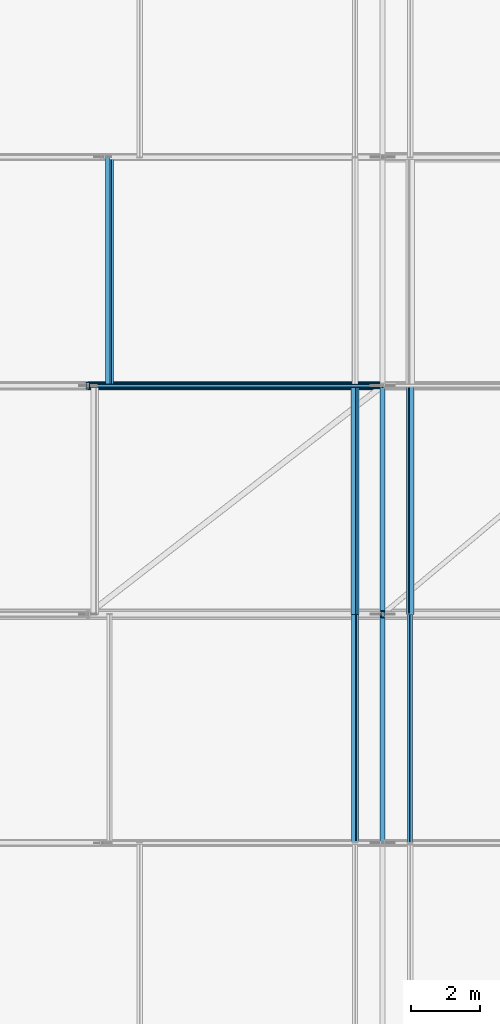
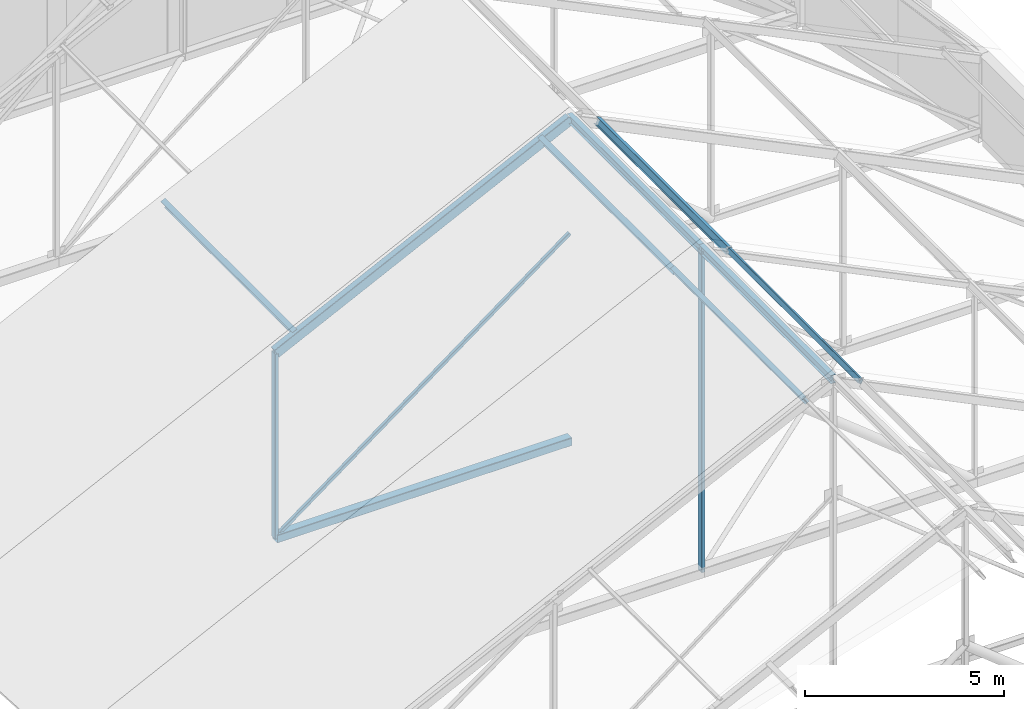
# One storey, part 17 of 78: 12 members.
"""IFC4 building model written with IfcOpenShell, lengths in metres."""

import ifcopenshell
import ifcopenshell.guid

model = None  # the IFC model being written
_history = None  # IfcOwnerHistory: only IFC2X3 demands one
_inside = {}  # id of a spatial element -> (the spatial element, [elements in it])
_under = {}  # id of a project, library or spatial element -> (it, [spatial elements below it])
_declared = {}  # id of a project -> (the project, [libraries it declares])
_typed = {}  # id of a type object -> (the type object, [elements of that type])
_made_of = {}  # id of a material, layer set ... -> (it, [elements and type objects made of it])


def new_model(schema):
    """Start an empty IFC model of exactly this schema.

    Asked for "IFC4X3", IfcOpenShell would pick the latest addendum, in which some entities
    have other attributes; the version numbers below select the first issue.
    IFC2X3 requires an IfcOwnerHistory on every rooted entity: one is made here for all.
    """
    global model, _history
    if schema == "IFC4X3":
        model = ifcopenshell.file(schema_version=(4, 3, 0, 0))
    else:
        model = ifcopenshell.file(schema=schema)
    _inside.clear()
    _under.clear()
    _declared.clear()
    _typed.clear()
    _made_of.clear()
    _history = None
    if model.schema == "IFC2X3":
        org = make("IfcOrganization", Name="unknown")
        user = make(
            "IfcPersonAndOrganization",
            ThePerson=make("IfcPerson", FamilyName="unknown"),
            TheOrganization=org,
        )
        app = make(
            "IfcApplication",
            ApplicationDeveloper=org,
            Version="unknown",
            ApplicationFullName="unknown",
            ApplicationIdentifier="unknown",
        )
        _history = make(
            "IfcOwnerHistory",
            OwningUser=user,
            OwningApplication=app,
            ChangeAction="ADDED",
            CreationDate=0,
        )
    return model


def make(cls, **values):
    """One entity of the class cls with the attributes given. An attribute that is None is left unset."""
    return model.create_entity(
        cls, **{name: value for name, value in values.items() if value is not None}
    )


def rooted(cls, **values):
    """An entity with a GlobalId (a new one), such as an element, a storey or a relation."""
    return make(cls, GlobalId=ifcopenshell.guid.new(), OwnerHistory=_history, **values)


def si_unit(unit_type, name, prefix=None):
    """IfcSIUnit, for example si_unit("LENGTHUNIT", "METRE", prefix="MILLI")."""
    return make("IfcSIUnit", UnitType=unit_type, Prefix=prefix, Name=name)


def assignment(units):
    """IfcUnitAssignment: the units of a project."""
    return None if units is None else make("IfcUnitAssignment", Units=units)


def point(xyz):
    """IfcCartesianPoint."""
    return None if xyz is None else make("IfcCartesianPoint", Coordinates=xyz)


def direction(xyz):
    """IfcDirection."""
    return None if xyz is None else make("IfcDirection", DirectionRatios=xyz)


def frame(location, z_axis=None, x_axis=None):
    """IfcAxis2Placement3D, a coordinate frame: its origin and axes. An axis left out is left unset."""
    return make(
        "IfcAxis2Placement3D",
        Location=point(location),
        Axis=direction(z_axis),
        RefDirection=direction(x_axis),
    )


def frame_2d(location, x_axis=None):
    """IfcAxis2Placement2D, a coordinate frame in the plane: its origin and x axis."""
    return make(
        "IfcAxis2Placement2D", Location=point(location), RefDirection=direction(x_axis)
    )


def origin():
    """The frame at (0, 0, 0) with its axes left unset."""
    return frame((0.0, 0.0, 0.0))


def origin_2d():
    """The frame at (0, 0) in the plane with its x axis left unset."""
    return frame_2d((0.0, 0.0))


def place(relative_to, where):
    """IfcLocalPlacement: puts the frame where relative to a parent placement (None: the world)."""
    return make(
        "IfcLocalPlacement", PlacementRelTo=relative_to, RelativePlacement=where
    )


def context(
    kind, dimensions, precision=None, world=None, true_north=None, identifier=None
):
    """IfcGeometricRepresentationContext, for example the 3D "Model" context."""
    return make(
        "IfcGeometricRepresentationContext",
        ContextIdentifier=identifier,
        ContextType=kind,
        CoordinateSpaceDimension=dimensions,
        Precision=precision,
        WorldCoordinateSystem=world,
        TrueNorth=true_north,
    )


def subcontext(parent, identifier, kind, view, scale=None):
    """IfcGeometricRepresentationSubContext, for example "Body" below "Model"."""
    return make(
        "IfcGeometricRepresentationSubContext",
        ContextIdentifier=identifier,
        ContextType=kind,
        ParentContext=parent,
        TargetScale=scale,
        TargetView=view,
    )


def project(units=None, contexts=None):
    """IfcProject with its units and contexts."""
    return rooted(
        "IfcProject",
        Name="project",
        RepresentationContexts=contexts,
        UnitsInContext=assignment(units),
    )


def spatial(cls, under=None, at=None, **own):
    """A site, building, storey or space (cls), placed at a placement, below another one or the project."""
    s = rooted(cls, ObjectPlacement=at, **own)
    if under is not None:
        _under.setdefault(under.id(), (under, []))[1].append(s)
    return s


def profile(cls, at=None, kind="AREA", **sizes):
    """A parametric profile (cls). Its sizes go by their IFC names, for example OverallWidth=200.0."""
    return make(cls, ProfileType=kind, Position=at, **sizes)


def hollow_rectangle(**sizes):
    """IfcRectangleHollowProfileDef."""
    return profile("IfcRectangleHollowProfileDef", **sizes)


def i_section(**sizes):
    """IfcIShapeProfileDef."""
    return profile("IfcIShapeProfileDef", **sizes)


def extrude(swept, where, along, depth):
    """IfcExtrudedAreaSolid: the profile swept, set in the frame where, extruded along a direction by depth."""
    return make(
        "IfcExtrudedAreaSolid",
        SweptArea=swept,
        Position=where,
        ExtrudedDirection=direction(along),
        Depth=depth,
    )


def shape(context_of_items, identifier, shape_type, items):
    """IfcShapeRepresentation: the items that make up one representation, for example the "Body"."""
    return make(
        "IfcShapeRepresentation",
        ContextOfItems=context_of_items,
        RepresentationIdentifier=identifier,
        RepresentationType=shape_type,
        Items=items,
    )


def material(Name=None, Category=None):
    """IfcMaterial."""
    return make("IfcMaterial", Name=Name, Category=Category)


def material_profile(
    of_material, cross_section, Name=None, Category=None, Priority=None
):
    """IfcMaterialProfile: a cross section and its material."""
    return make(
        "IfcMaterialProfile",
        Name=Name,
        Material=of_material,
        Profile=cross_section,
        Priority=Priority,
        Category=Category,
    )


def profile_set(profiles, Name=None, composite=None):
    """IfcMaterialProfileSet."""
    return make(
        "IfcMaterialProfileSet",
        Name=Name,
        MaterialProfiles=profiles,
        CompositeProfile=composite,
    )


def made_of(thing, what):
    """Note that an element or type object is made of a material, layer set ...; save() writes the relation."""
    if what is not None:
        _made_of.setdefault(what.id(), (what, []))[1].append(thing)
    return thing


def type_object(cls, material=None, **own):
    """A type object (cls), such as IfcWallType, which elements share."""
    return made_of(rooted(cls, **own), material)


def element(
    cls,
    number,
    at=None,
    inside=None,
    cuts=None,
    type_object=None,
    material=None,
    context=None,
    identifier="Body",
    shape_type=None,
    held_by="IfcProductDefinitionShape",
    body=None,
    shapes=None,
    **own,
):
    """One element of the class cls, such as IfcWall. Its Tag is "e" and its number.

    at: its placement. inside: the storey or other place that contains it. cuts: it is an
    opening in that element (IfcRelVoidsElement). A single representation is given by context,
    identifier, shape_type and body (its items); several are given by shapes. held_by: the class
    of the entity that holds the representations. save() writes the other relations.
    """
    e = rooted(cls, Tag="e%d" % number, ObjectPlacement=at, **own)
    if body is not None:
        shapes = [shape(context, identifier, shape_type, body)]
    if shapes is not None:
        e.Representation = make(held_by, Representations=shapes)
    if inside is not None:
        _inside.setdefault(inside.id(), (inside, []))[1].append(e)
    if cuts is not None:
        rooted(
            "IfcRelVoidsElement", RelatingBuildingElement=cuts, RelatedOpeningElement=e
        )
    if type_object is not None:
        _typed.setdefault(type_object.id(), (type_object, []))[1].append(e)
    return made_of(e, material)


def aggregate(whole, parts):
    """IfcRelAggregates: a whole, such as a stair, and the parts it consists of."""
    return rooted("IfcRelAggregates", RelatingObject=whole, RelatedObjects=parts)


def save(model, path):
    """Write the relations noted so far, then the file.

    IfcRelAggregates (storeys below a building ...), IfcRelContainedInSpatialStructure (elements
    in a storey), IfcRelDefinesByType, IfcRelAssociatesMaterial and IfcRelDeclares: one each for
    every whole, place, type object, material and project.
    """
    for whole, parts in _under.values():
        aggregate(whole, parts)
    for where, things in _inside.values():
        rooted(
            "IfcRelContainedInSpatialStructure",
            RelatedElements=things,
            RelatingStructure=where,
        )
    for kind, things in _typed.values():
        rooted("IfcRelDefinesByType", RelatedObjects=things, RelatingType=kind)
    for what, things in _made_of.values():
        rooted("IfcRelAssociatesMaterial", RelatedObjects=things, RelatingMaterial=what)
    for by, libraries in _declared.values():
        rooted("IfcRelDeclares", RelatingContext=by, RelatedDefinitions=libraries)
    model.write(path)


model = new_model("IFC4")

# Units and contexts
model_context = context("Model", 3, precision=1e-05, world=origin(), true_north=direction((0.0, 1.0)))
body_context = subcontext(model_context, "Body", "Model", "MODEL_VIEW")
ifc_project = project(units=[si_unit("LENGTHUNIT", "METRE"), si_unit("AREAUNIT", "SQUARE_METRE"), si_unit("VOLUMEUNIT", "CUBIC_METRE"), si_unit("PLANEANGLEUNIT", "RADIAN"), si_unit("MASSUNIT", "GRAM", prefix="KILO")], contexts=[model_context])

# Site, building, storey
site_placement = place(None, origin())
site = spatial("IfcSite", under=ifc_project, at=site_placement, CompositionType="ELEMENT")
building_placement = place(site_placement, origin())
building = spatial("IfcBuilding", under=site, at=building_placement, Name="Kelanivale Promenade Academy", CompositionType="ELEMENT")
storey_placement = place(building_placement, frame((0.0, 0.0, 16.199951171875)))
storey = spatial("IfcBuildingStorey", under=building, at=storey_placement, Name="L04", CompositionType="ELEMENT", Elevation=16.199951171875)

# Members
ifc_material = material(Name="Steel S355", Category="steel")
ifc_material_profile_1 = material_profile(ifc_material, i_section(OverallWidth=0.13330078125, OverallDepth=0.203125, WebThickness=0.005615234375, FlangeThickness=0.0078125, FilletRadius=0.007568359375, at=origin_2d()), Name="UB 203x133x25")
ifc_profile_set_1 = profile_set([ifc_material_profile_1], Name="Steel S355")
member_type_1 = type_object("IfcMemberType", Name="PR-01 UB 203x133x25", PredefinedType="PURLIN", material=ifc_profile_set_1)
member_1_placement = place(storey_placement, frame((18.800048828125, 46.257080078125, 9.713134765625), z_axis=(0.0, 1.0, 0.0), x_axis=(-0.898564392509, 0.0, -0.438841694139)))
element("IfcMember", 1, at=member_1_placement, inside=storey, type_object=member_type_1, Name="Sports Hall Crescent Pavilion roof purlin PR-01", PredefinedType="PURLIN", context=body_context, shape_type="SweptSolid", body=[
    extrude(i_section(OverallWidth=0.13330078125, OverallDepth=0.203125, WebThickness=0.005615234375, FlangeThickness=0.0078125, FilletRadius=0.007568359375, at=origin_2d()), origin(), (0.0, 0.0, 1.0), 6.62890625),
])
member_2_placement = place(storey_placement, frame((20.39990234375, 52.885986328125, 9.713134765625), z_axis=(0.0, 1.0, 0.0), x_axis=(-0.898564392509, 0.0, 0.438841694139)))
element("IfcMember", 2, at=member_2_placement, inside=storey, type_object=member_type_1, Name="Sports Hall Crescent Pavilion roof purlin PR-01", PredefinedType="PURLIN", context=body_context, shape_type="SweptSolid", body=[
    extrude(i_section(OverallWidth=0.13330078125, OverallDepth=0.203125, WebThickness=0.005615234375, FlangeThickness=0.0078125, FilletRadius=0.007568359375, at=origin_2d()), origin(), (0.0, 0.0, 1.0), 6.6279296875),
])
ifc_material_profile_2 = material_profile(ifc_material, i_section(OverallWidth=0.14599609375, OverallDepth=0.25146484375, WebThickness=0.006103515625, FlangeThickness=0.008544921875, FilletRadius=0.007568359375, at=origin_2d()), Name="UB 254x146x31")
ifc_profile_set_2 = profile_set([ifc_material_profile_2], Name="Steel S355")
member_type_2 = type_object("IfcMemberType", Name="PR-02 UB 254x146x31", PredefinedType="PURLIN", material=ifc_profile_set_2)
member_3_placement = place(storey_placement, frame((19.60009765625, 46.257080078125, 10.087158203125), z_axis=(0.0, 1.0, 0.0), x_axis=(-1.0, 0.0, 0.0)))
element("IfcMember", 3, at=member_3_placement, inside=storey, type_object=member_type_2, Name="Sports Hall Crescent Pavilion roof tie purlin PR-02", PredefinedType="PURLIN", context=body_context, shape_type="SweptSolid", body=[
    extrude(i_section(OverallWidth=0.14599609375, OverallDepth=0.25146484375, WebThickness=0.006103515625, FlangeThickness=0.008544921875, FilletRadius=0.007568359375, at=origin_2d()), origin(), (0.0, 0.0, 1.0), 6.62890625),
])
for number, where, z_axis, x_axis, name in (
    (4, (19.60009765625, 52.885986328125, 10.087158203125), (0.0, 1.0, 0.0), (-1.0, 0.0, 0.0), "Sports Hall Crescent Pavilion roof tie purlin PR-02"),
    (5, (18.800048828125, 52.885986328125, 9.68603515625), (0.0, 1.0, 0.0), (-0.898564392509, 0.0, -0.438841694139), "Sports Hall Crescent Pavilion roof purlin PR-02"),
):
    element("IfcMember", number, at=place(storey_placement, frame(where, z_axis=z_axis, x_axis=x_axis)), inside=storey, type_object=member_type_2, Name=name, PredefinedType="PURLIN", context=body_context, shape_type="SweptSolid", body=[
        extrude(i_section(OverallWidth=0.14599609375, OverallDepth=0.25146484375, WebThickness=0.006103515625, FlangeThickness=0.008544921875, FilletRadius=0.007568359375, at=origin_2d()), origin(), (0.0, 0.0, 1.0), 6.6279296875),
    ])
member_4_placement = place(storey_placement, frame((11.679931640625, 59.513916015625, 6.208984375), z_axis=(0.0, 1.0, 0.0), x_axis=(-0.898564392509, 0.0, -0.438841694139)))
element("IfcMember", 6, at=member_4_placement, inside=storey, type_object=member_type_2, Name="Sports Hall Crescent Pavilion roof purlin PR-02", PredefinedType="PURLIN", context=body_context, shape_type="SweptSolid", body=[
    extrude(i_section(OverallWidth=0.14599609375, OverallDepth=0.25146484375, WebThickness=0.006103515625, FlangeThickness=0.008544921875, FilletRadius=0.007568359375, at=origin_2d()), origin(), (0.0, 0.0, 1.0), 6.629150390625),
])
ifc_material_profile_3 = material_profile(ifc_material, hollow_rectangle(XDim=0.10009765625, YDim=0.14990234375, WallThickness=0.008056640625, InnerFilletRadius=0.008056640625, OuterFilletRadius=0.01611328125, at=origin_2d()), Name="RHS 150x100x8.0")
ifc_profile_set_3 = profile_set([ifc_material_profile_3], Name="Steel S355")
member_type_3 = type_object("IfcMemberType", Name="PR-04 RHS 150x100x8.0", PredefinedType="PURLIN", material=ifc_profile_set_3)
member_5_placement = place(storey_placement, frame((20.39990234375, 46.257080078125, 9.7431640625), z_axis=(0.0, 1.0, 0.0), x_axis=(-0.898564392509, 0.0, 0.438841694139)))
element("IfcMember", 7, at=member_5_placement, inside=storey, type_object=member_type_3, Name="Sports Hall Crescent Pavilion roof purlin PR-04", PredefinedType="PURLIN", context=body_context, shape_type="SweptSolid", body=[
    extrude(hollow_rectangle(XDim=0.10009765625, YDim=0.14990234375, WallThickness=0.008056640625, InnerFilletRadius=0.008056640625, OuterFilletRadius=0.01611328125, at=origin_2d()), origin(), (0.0, 0.0, 1.0), 6.62890625),
])
ifc_material_profile_4 = material_profile(ifc_material, hollow_rectangle(XDim=0.25, YDim=0.25, WallThickness=0.012451171875, InnerFilletRadius=0.012451171875, OuterFilletRadius=0.02490234375, at=origin_2d()), Name="SHS 250x250x12.5")
ifc_profile_set_4 = profile_set([ifc_material_profile_4], Name="Steel S355")
member_type_4 = type_object("IfcMemberType", Name="TC-02 SHS 250x250x12.5", PredefinedType="CHORD", material=ifc_profile_set_4)
member_6_placement = place(storey_placement, frame((11.052978515625, 59.513916015625, 0.199951171875), z_axis=(1.0, 0.0, 0.0), x_axis=(0.0, 1.0, 0.0)))
element("IfcMember", 8, at=member_6_placement, inside=storey, type_object=member_type_4, Name="ROOF TRUSS SH-TR5 bottom chord 2", PredefinedType="CHORD", context=body_context, shape_type="SweptSolid", body=[
    extrude(hollow_rectangle(XDim=0.25, YDim=0.25, WallThickness=0.012451171875, InnerFilletRadius=0.012451171875, OuterFilletRadius=0.02490234375, at=origin_2d()), origin(), (0.0, 0.0, 1.0), 8.547119140625),
])
ifc_material_profile_5 = material_profile(ifc_material, hollow_rectangle(XDim=0.199951171875, YDim=0.300048828125, WallThickness=0.012451171875, InnerFilletRadius=0.012451171875, OuterFilletRadius=0.02490234375, at=origin_2d()), Name="RHS 300x200x12.5")
ifc_profile_set_5 = profile_set([ifc_material_profile_5], Name="Steel S355")
member_type_5 = type_object("IfcMemberType", Name="TC-05 RHS 300x200x12.5", PredefinedType="CHORD", material=ifc_profile_set_5)
member_7_placement = place(storey_placement, frame((11.052978515625, 59.513916015625, 5.8681640625), z_axis=(0.898581873428, 0.0, 0.438805898715), x_axis=(0.0, 1.0, 0.0)))
element("IfcMember", 9, at=member_7_placement, inside=storey, type_object=member_type_5, Name="ROOF TRUSS SH-TR5 top chord 2", PredefinedType="CHORD", context=body_context, shape_type="SweptSolid", body=[
    extrude(hollow_rectangle(XDim=0.199951171875, YDim=0.300048828125, WallThickness=0.012451171875, InnerFilletRadius=0.012451171875, OuterFilletRadius=0.02490234375, at=origin_2d()), origin(), (0.0, 0.0, 1.0), 9.51171875),
])
ifc_material_profile_6 = material_profile(ifc_material, hollow_rectangle(XDim=0.10009765625, YDim=0.10009765625, WallThickness=0.00634765625, InnerFilletRadius=0.00634765625, OuterFilletRadius=0.0126953125, at=origin_2d()), Name="SHS 100x100x6.3")
ifc_profile_set_6 = profile_set([ifc_material_profile_6], Name="Steel S355")
member_type_6 = type_object("IfcMemberType", Name="TD-03 SHS 100x100x6.3", PredefinedType="BRACE", material=ifc_profile_set_6)
member_8_placement = place(storey_placement, frame((11.052978515625, 59.513916015625, 0.199951171875), z_axis=(0.803157518053, 0.0, 0.595766733877), x_axis=(0.0, 1.0, 0.0)))
element("IfcMember", 10, at=member_8_placement, inside=storey, type_object=member_type_6, Name="ROOF TRUSS SH-TR5 web diagonal 2", PredefinedType="BRACE", context=body_context, shape_type="SweptSolid", body=[
    extrude(hollow_rectangle(XDim=0.10009765625, YDim=0.10009765625, WallThickness=0.00634765625, InnerFilletRadius=0.00634765625, OuterFilletRadius=0.0126953125, at=origin_2d()), origin(), (0.0, 0.0, 1.0), 10.641845703125),
])
ifc_material_profile_7 = material_profile(ifc_material, hollow_rectangle(XDim=0.10009765625, YDim=0.199951171875, WallThickness=0.008056640625, InnerFilletRadius=0.008056640625, OuterFilletRadius=0.01611328125, at=origin_2d()), Name="RHS 200x100x8.0")
ifc_profile_set_7 = profile_set([ifc_material_profile_7], Name="Steel S355")
member_type_7 = type_object("IfcMemberType", Name="TV-02 RHS 200x100x8.0", PredefinedType="STRUT", material=ifc_profile_set_7)
member_9_placement = place(storey_placement, frame((19.60009765625, 52.885986328125, 0.199951171875), z_axis=(0.0, 0.0, 1.0), x_axis=(1.0, 0.0, 0.0)))
element("IfcMember", 11, at=member_9_placement, inside=storey, type_object=member_type_7, Name="ROOF TRUSS SH-TR4 vertical strut 2", PredefinedType="STRUT", context=body_context, shape_type="SweptSolid", body=[
    extrude(hollow_rectangle(XDim=0.10009765625, YDim=0.199951171875, WallThickness=0.008056640625, InnerFilletRadius=0.008056640625, OuterFilletRadius=0.01611328125, at=origin_2d()), origin(), (0.0, 0.0, 1.0), 9.842041015625),
])
member_10_placement = place(storey_placement, frame((11.052978515625, 59.513916015625, 0.199951171875), z_axis=(0.0, 0.0, 1.0), x_axis=(1.0, 0.0, 0.0)))
element("IfcMember", 12, at=member_10_placement, inside=storey, type_object=member_type_7, Name="ROOF TRUSS SH-TR5 vertical strut 1", PredefinedType="STRUT", context=body_context, shape_type="SweptSolid", body=[
    extrude(hollow_rectangle(XDim=0.10009765625, YDim=0.199951171875, WallThickness=0.008056640625, InnerFilletRadius=0.008056640625, OuterFilletRadius=0.01611328125, at=origin_2d()), origin(), (0.0, 0.0, 1.0), 5.668212890625),
])

save(model, "model.ifc")
